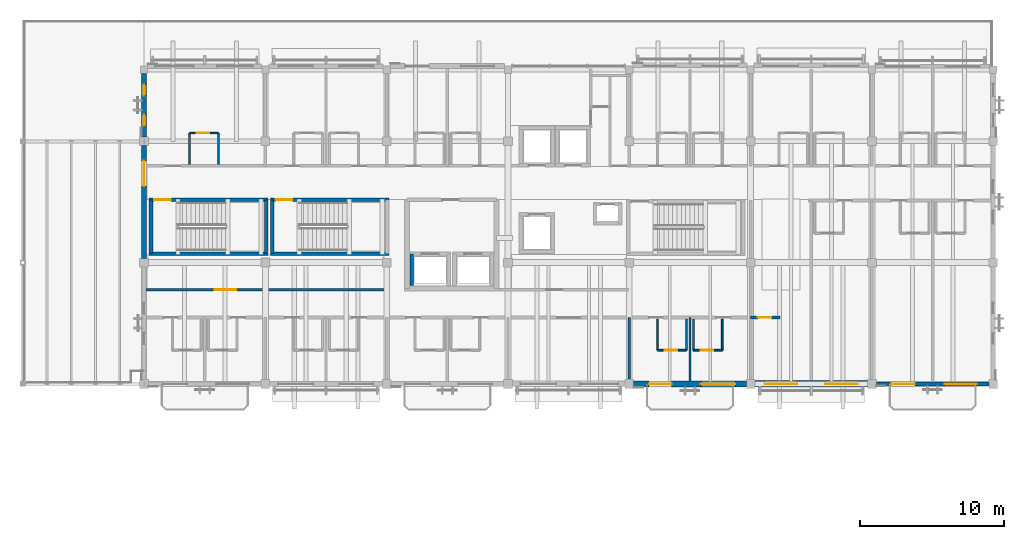
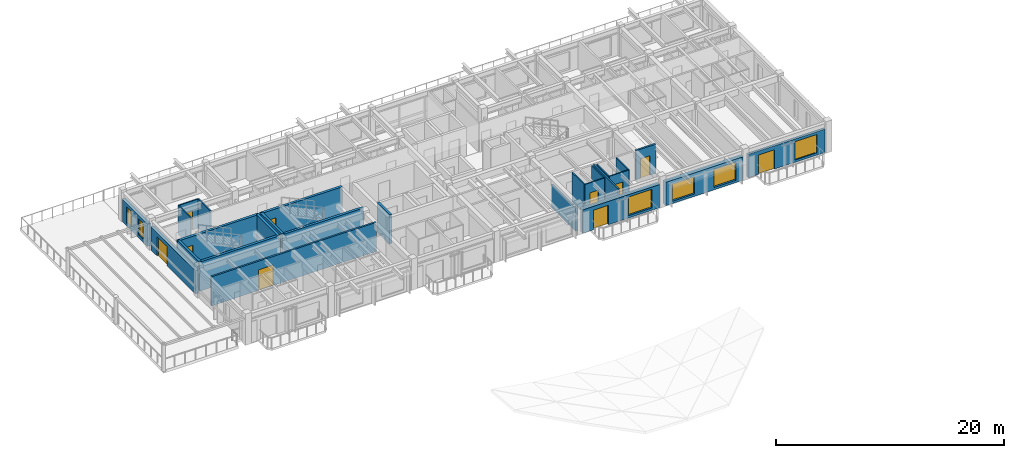
# One storey, part 11 of 22: 26 walls, 10 doors, 6 windows, 16 openings.
"""IFC4 building model written with IfcOpenShell, lengths in metres."""

from ifc_helpers import new_model, si_unit, direction, frame, frame_2d, origin, place, context, subcontext, project, spatial, rectangle, extrude, material, layer, layer_set, type_object, element, fill, save


model = new_model("IFC4")

# Units and contexts
model_context = context("Model", 3, precision=1e-05, world=origin(), true_north=direction((0.0, 1.0)))
body_context = subcontext(model_context, "Body", "Model", "MODEL_VIEW")
ifc_project = project(units=[si_unit("LENGTHUNIT", "METRE"), si_unit("AREAUNIT", "SQUARE_METRE"), si_unit("VOLUMEUNIT", "CUBIC_METRE"), si_unit("PLANEANGLEUNIT", "RADIAN"), si_unit("MASSUNIT", "GRAM", prefix="KILO")], contexts=[model_context])

# Site, building, storey
site_placement = place(None, origin())
site = spatial("IfcSite", under=ifc_project, at=site_placement, CompositionType="ELEMENT")
building_placement = place(site_placement, origin())
building = spatial("IfcBuilding", under=site, at=building_placement, Name="Cumbredor Promenade Congress Hotel", CompositionType="ELEMENT")
storey_placement = place(building_placement, frame((0.0, 0.0, 28.56005859375)))
storey = spatial("IfcBuildingStorey", under=building, at=storey_placement, Name="L08", CompositionType="ELEMENT", Elevation=28.56005859375)

# Wall, opening, door
ifc_material_1 = material(Name="Moisture-resistant gypsum board on steel studs", Category="steel")
ifc_layer_1 = layer(ifc_material_1, 0.114990234375, Name="Moisture-resistant gypsum board on steel studs", Category="steel")
ifc_layer_set_1 = layer_set([ifc_layer_1], Name="Moisture-resistant gypsum board on steel studs")
wall_type_1 = type_object("IfcWallType", Name="WL-BATH-115", PredefinedType="PARTITIONING", material=ifc_layer_set_1)
wall_1_placement = place(storey_placement, frame((11.550048828125, 109.77001953125, 0.0), z_axis=(0.0, 0.0, 1.0), x_axis=(1.0, 0.0, 0.0)))
wall_1 = element("IfcWall", 1, at=wall_1_placement, inside=storey, type_object=wall_type_1, Name="L08 Interior Partition W-L08-BH-0801", PredefinedType="PARTITIONING", context=body_context, shape_type="SweptSolid", body=[
    extrude(rectangle(XDim=2.0, YDim=0.114990234375, at=frame_2d((1.0, 0.0))), origin(), (0.0, 0.0, 1.0), 3.119873046875),
])
opening_1_placement = place(wall_1_placement, frame((0.5, 0.0, 0.0)))
opening_1 = element("IfcOpeningElement", 2, at=opening_1_placement, cuts=wall_1, Name="Opening ID-01", PredefinedType="OPENING", context=body_context, shape_type="SweptSolid", body=[
    extrude(rectangle(XDim=0.860107421875, YDim=2.050048828125, at=frame_2d((0.43017578125, 1.02490234375))), frame((0.0, 0.0673828125, 0.0), z_axis=(0.0, -1.0, 0.0), x_axis=(1.0, 0.0, 0.0)), (0.0, 0.0, 1.0), 0.135009765625),
])
ifc_material_2 = material(Name="Kiln-dried tropical hardwood", Category="wood")
door_type_1 = type_object("IfcDoorType", Name="DR-BATH-860", OperationType="NOTDEFINED", PredefinedType="DOOR", material=ifc_material_2)
door_1_placement = place(opening_1_placement, origin())
door_1 = element("IfcDoor", 3, at=door_1_placement, inside=storey, type_object=door_type_1, Name="L08 Interior Door W-L08-BH-0801-01", OperationType="SINGLE_SWING_LEFT", OverallHeight=2.050048828125, OverallWidth=0.860107421875, PredefinedType="DOOR", context=body_context, shape_type="SweptSolid", body=[
    extrude(rectangle(XDim=0.860107421875, YDim=2.050048828125, at=frame_2d((0.43017578125, 1.02490234375))), frame((0.0, 0.02490234375, 0.0), z_axis=(0.0, -1.0, 0.0), x_axis=(1.0, 0.0, 0.0)), (0.0, 0.0, 1.0), 0.050048828125),
])
fill(opening_1, door_1)

# Walls
for number, where, z_axis, x_axis, name in (
    (4, (11.550048828125, 107.6201171875, 0.0), (0.0, 0.0, 1.0), (0.0, 1.0, 0.0), "L08 Interior Partition W-L08-BV1-0801"),
    (5, (13.550048828125, 107.6201171875, 0.0), (0.0, 0.0, 1.0), (0.0, 1.0, 0.0), "L08 Interior Partition W-L08-BV2-0801"),
):
    element("IfcWall", number, at=place(storey_placement, frame(where, z_axis=z_axis, x_axis=x_axis)), inside=storey, type_object=wall_type_1, Name=name, PredefinedType="PARTITIONING", context=body_context, shape_type="SweptSolid", body=[
        extrude(rectangle(XDim=2.14990234375, YDim=0.114990234375, at=frame_2d((1.074951171875, 0.0))), origin(), (0.0, 0.0, 1.0), 3.119873046875),
    ])

# Wall, opening, door
wall_2_placement = place(storey_placement, frame((43.9599609375, 94.72998046875, 0.0), z_axis=(0.0, 0.0, 1.0), x_axis=(1.0, 0.0, 0.0)))
wall_2 = element("IfcWall", 6, at=wall_2_placement, inside=storey, type_object=wall_type_1, Name="L08 Interior Partition W-L08-BH-0879", PredefinedType="PARTITIONING", context=body_context, shape_type="SweptSolid", body=[
    extrude(rectangle(XDim=2.0, YDim=0.114990234375, at=frame_2d((1.0, 0.0))), origin(), (0.0, 0.0, 1.0), 3.119873046875),
])
opening_2_placement = place(wall_2_placement, frame((0.5, 0.0, 0.0)))
opening_2 = element("IfcOpeningElement", 7, at=opening_2_placement, cuts=wall_2, Name="Opening ID-01", PredefinedType="OPENING", context=body_context, shape_type="SweptSolid", body=[
    extrude(rectangle(XDim=0.860107421875, YDim=2.050048828125, at=frame_2d((0.43017578125, 1.02490234375))), frame((0.0, 0.0673828125, 0.0), z_axis=(0.0, -1.0, 0.0), x_axis=(1.0, 0.0, 0.0)), (0.0, 0.0, 1.0), 0.135009765625),
])
door_2_placement = place(opening_2_placement, origin())
door_2 = element("IfcDoor", 8, at=door_2_placement, inside=storey, type_object=door_type_1, Name="L08 Interior Door W-L08-BH-0879-01", OperationType="SINGLE_SWING_RIGHT", OverallHeight=2.050048828125, OverallWidth=0.860107421875, PredefinedType="DOOR", context=body_context, shape_type="SweptSolid", body=[
    extrude(rectangle(XDim=0.860107421875, YDim=2.050048828125, at=frame_2d((0.43017578125, 1.02490234375))), frame((0.0, 0.02490234375, 0.0), z_axis=(0.0, -1.0, 0.0), x_axis=(1.0, 0.0, 0.0)), (0.0, 0.0, 1.0), 0.050048828125),
])
fill(opening_2, door_2)

# Walls
for number, where, z_axis, x_axis, name in (
    (9, (43.9599609375, 94.72998046875, 0.0), (0.0, 0.0, 1.0), (0.0, 1.0, 0.0), "L08 Interior Partition W-L08-BV1-0879"),
    (10, (45.9599609375, 94.72998046875, 0.0), (0.0, 0.0, 1.0), (0.0, 1.0, 0.0), "L08 Interior Partition W-L08-BV2-0879"),
):
    element("IfcWall", number, at=place(storey_placement, frame(where, z_axis=z_axis, x_axis=x_axis)), inside=storey, type_object=wall_type_1, Name=name, PredefinedType="PARTITIONING", context=body_context, shape_type="SweptSolid", body=[
        extrude(rectangle(XDim=2.14990234375, YDim=0.114990234375, at=frame_2d((1.074951171875, 0.0))), origin(), (0.0, 0.0, 1.0), 3.119873046875),
    ])

# Wall, opening, door
wall_3_placement = place(storey_placement, frame((46.43994140625, 94.72998046875, 0.0), z_axis=(0.0, 0.0, 1.0), x_axis=(1.0, 0.0, 0.0)))
wall_3 = element("IfcWall", 11, at=wall_3_placement, inside=storey, type_object=wall_type_1, Name="L08 Interior Partition W-L08-BH-08710", PredefinedType="PARTITIONING", context=body_context, shape_type="SweptSolid", body=[
    extrude(rectangle(XDim=2.0, YDim=0.114990234375, at=frame_2d((1.0, 0.0))), origin(), (0.0, 0.0, 1.0), 3.119873046875),
])
opening_3_placement = place(wall_3_placement, frame((0.5, 0.0, 0.0)))
opening_3 = element("IfcOpeningElement", 12, at=opening_3_placement, cuts=wall_3, Name="Opening ID-01", PredefinedType="OPENING", context=body_context, shape_type="SweptSolid", body=[
    extrude(rectangle(XDim=0.860107421875, YDim=2.050048828125, at=frame_2d((0.43017578125, 1.02490234375))), frame((0.0, 0.0673828125, 0.0), z_axis=(0.0, -1.0, 0.0), x_axis=(1.0, 0.0, 0.0)), (0.0, 0.0, 1.0), 0.135009765625),
])
door_3_placement = place(opening_3_placement, origin())
door_3 = element("IfcDoor", 13, at=door_3_placement, inside=storey, type_object=door_type_1, Name="L08 Interior Door W-L08-BH-08710-01", OperationType="SINGLE_SWING_LEFT", OverallHeight=2.050048828125, OverallWidth=0.860107421875, PredefinedType="DOOR", context=body_context, shape_type="SweptSolid", body=[
    extrude(rectangle(XDim=0.860107421875, YDim=2.050048828125, at=frame_2d((0.43017578125, 1.02490234375))), frame((0.0, 0.02490234375, 0.0), z_axis=(0.0, -1.0, 0.0), x_axis=(1.0, 0.0, 0.0)), (0.0, 0.0, 1.0), 0.050048828125),
])
fill(opening_3, door_3)

# Walls
for number, where, z_axis, x_axis, name in (
    (14, (46.43994140625, 94.72998046875, 0.0), (0.0, 0.0, 1.0), (0.0, 1.0, 0.0), "L08 Interior Partition W-L08-BV1-08710"),
    (15, (48.43994140625, 94.72998046875, 0.0), (0.0, 0.0, 1.0), (0.0, 1.0, 0.0), "L08 Interior Partition W-L08-BV2-08710"),
):
    element("IfcWall", number, at=place(storey_placement, frame(where, z_axis=z_axis, x_axis=x_axis)), inside=storey, type_object=wall_type_1, Name=name, PredefinedType="PARTITIONING", context=body_context, shape_type="SweptSolid", body=[
        extrude(rectangle(XDim=2.14990234375, YDim=0.114990234375, at=frame_2d((1.074951171875, 0.0))), origin(), (0.0, 0.0, 1.0), 3.119873046875),
    ])

# Wall, opening, door
ifc_material_3 = material(Name="Fire-rated hotel corridor wall")
ifc_layer_2 = layer(ifc_material_3, 0.179931640625, Name="Fire-rated hotel corridor wall")
ifc_layer_set_2 = layer_set([ifc_layer_2], Name="Fire-rated hotel corridor wall")
wall_type_2 = type_object("IfcWallType", Name="WL-CORR-180", PredefinedType="PARTITIONING", material=ifc_layer_set_2)
wall_4_placement = place(storey_placement, frame((8.550048828125, 98.919921875, 0.0), z_axis=(0.0, 0.0, 1.0), x_axis=(1.0, 0.0, 0.0)))
wall_4 = element("IfcWall", 16, at=wall_4_placement, inside=storey, type_object=wall_type_2, Name="L08 Interior Partition W-L08-STUDY-S", PredefinedType="PARTITIONING", context=body_context, shape_type="SweptSolid", body=[
    extrude(rectangle(XDim=16.699951171875, YDim=0.179931640625, at=frame_2d((8.35009765625, 0.0))), origin(), (0.0, 0.0, 1.0), 3.119873046875),
])
opening_4_placement = place(wall_4_placement, frame((4.75, 0.0, 0.0)))
opening_4 = element("IfcOpeningElement", 17, at=opening_4_placement, cuts=wall_4, Name="Opening FD-07", PredefinedType="OPENING", context=body_context, shape_type="SweptSolid", body=[
    extrude(rectangle(XDim=1.5, YDim=2.199951171875, at=frame_2d((0.75, 1.10009765625))), frame((0.0, 0.10009765625, 0.0), z_axis=(0.0, -1.0, 0.0), x_axis=(1.0, 0.0, 0.0)), (0.0, 0.0, 1.0), 0.199951171875),
])
ifc_material_4 = material(Name="Solid-core fire-rated tropical hardwood", Category="wood")
door_type_2 = type_object("IfcDoorType", Name="DR-DBL-FD60-1500", OperationType="DOUBLE_DOOR_SINGLE_SWING", PredefinedType="DOOR", material=ifc_material_4)
door_4_placement = place(opening_4_placement, origin())
door_4 = element("IfcDoor", 18, at=door_4_placement, inside=storey, type_object=door_type_2, Name="L08 Interior Door W-L08-STUDY-S-01", OperationType="DOUBLE_DOOR_SINGLE_SWING", OverallHeight=2.199951171875, OverallWidth=1.5, PredefinedType="DOOR", context=body_context, shape_type="SweptSolid", body=[
    extrude(rectangle(XDim=1.5, YDim=2.199951171875, at=frame_2d((0.75, 1.10009765625))), frame((0.0, 0.02490234375, 0.0), z_axis=(0.0, -1.0, 0.0), x_axis=(1.0, 0.0, 0.0)), (0.0, 0.0, 1.0), 0.050048828125),
])
fill(opening_4, door_4)

wall_5_placement = place(storey_placement, frame((50.39990234375, 97.0, 0.0), z_axis=(0.0, 0.0, 1.0), x_axis=(1.0, 0.0, 0.0)))
wall_5 = element("IfcWall", 19, at=wall_5_placement, inside=storey, type_object=wall_type_2, Name="L08 Interior Partition W-L08-TEA2-N", PredefinedType="PARTITIONING", context=body_context, shape_type="SweptSolid", body=[
    extrude(rectangle(XDim=2.050048828125, YDim=0.179931640625, at=frame_2d((1.02490234375, 0.0))), origin(), (0.0, 0.0, 1.0), 3.119873046875),
])
opening_5_placement = place(wall_5_placement, frame((0.5, 0.0, 0.0)))
opening_5 = element("IfcOpeningElement", 20, at=opening_5_placement, cuts=wall_5, Name="Opening FD-03", PredefinedType="OPENING", context=body_context, shape_type="SweptSolid", body=[
    extrude(rectangle(XDim=0.93994140625, YDim=2.10009765625, at=frame_2d((0.469970703125, 1.050048828125))), frame((0.0, 0.10009765625, 0.0), z_axis=(0.0, -1.0, 0.0), x_axis=(1.0, 0.0, 0.0)), (0.0, 0.0, 1.0), 0.199951171875),
])
ifc_material_5 = material(Name="Painted galvanized steel fire door", Category="steel")
door_type_3 = type_object("IfcDoorType", Name="DR-SGL-FD60-950", OperationType="NOTDEFINED", PredefinedType="DOOR", material=ifc_material_5)
door_5_placement = place(opening_5_placement, origin())
door_5 = element("IfcDoor", 21, at=door_5_placement, inside=storey, type_object=door_type_3, Name="L08 Interior Door W-L08-TEA2-N-01", OperationType="SINGLE_SWING_LEFT", OverallHeight=2.10009765625, OverallWidth=0.93994140625, PredefinedType="DOOR", context=body_context, shape_type="SweptSolid", body=[
    extrude(rectangle(XDim=0.93994140625, YDim=2.10009765625, at=frame_2d((0.469970703125, 1.050048828125))), frame((0.0, 0.02490234375, 0.0), z_axis=(0.0, -1.0, 0.0), x_axis=(1.0, 0.0, 0.0)), (0.0, 0.0, 1.0), 0.050048828125),
])
fill(opening_5, door_5)

# Wall, openings, door, window
ifc_material_6 = material(Name="Concrete C40/50", Category="concrete")
ifc_layer_3 = layer(ifc_material_6, 0.260009765625, Name="Concrete C40/50", Category="concrete")
ifc_layer_set_3 = layer_set([ifc_layer_3], Name="Concrete C40/50")
wall_type_3 = type_object("IfcWallType", Name="WL-EXT-260", PredefinedType="SOLIDWALL", material=ifc_layer_set_3)
wall_6_placement = place(storey_placement, frame((59.10107421875, 92.39990234375, 0.0), z_axis=(0.0, 0.0, 1.0), x_axis=(1.0, 0.0, 0.0)))
wall_6 = element("IfcWall", 22, at=wall_6_placement, inside=storey, type_object=wall_type_3, Name="L08 Stepped Congress Hotel Wing South Envelope Wall 7", PredefinedType="SOLIDWALL", context=body_context, shape_type="SweptSolid", body=[
    extrude(rectangle(XDim=7.7978515625, YDim=0.260009765625, at=frame_2d((3.89892578125, 0.0))), origin(), (0.0, 0.0, 1.0), 2.493896484375),
])
opening_6_placement = place(wall_6_placement, frame((1.02392578125, 0.0, 0.0)))
opening_6 = element("IfcOpeningElement", 23, at=opening_6_placement, cuts=wall_6, Name="Opening TD-02", PredefinedType="OPENING", context=body_context, shape_type="SweptSolid", body=[
    extrude(rectangle(XDim=1.64990234375, YDim=2.080078125, at=frame_2d((0.824951171875, 1.0400390625))), frame((0.0, 0.14013671875, 0.0), z_axis=(0.0, -1.0, 0.0), x_axis=(1.0, 0.0, 0.0)), (0.0, 0.0, 1.0), 0.280029296875),
])
opening_7_placement = place(wall_6_placement, frame((4.72412109375, 0.0, 0.25)))
opening_7 = element("IfcOpeningElement", 24, at=opening_7_placement, cuts=wall_6, Name="Opening WN-07", PredefinedType="OPENING", context=body_context, shape_type="SweptSolid", body=[
    extrude(rectangle(XDim=2.25, YDim=1.949951171875, at=frame_2d((1.125, 0.97509765625))), frame((0.0, 0.14013671875, 0.0), z_axis=(0.0, -1.0, 0.0), x_axis=(1.0, 0.0, 0.0)), (0.0, 0.0, 1.0), 0.280029296875),
])
ifc_material_7 = material(Name="Thermally broken anodized aluminium and laminated safety glass", Category="aluminium")
door_type_4 = type_object("IfcDoorType", Name="EXT-DR-TER-1650x2080", OperationType="DOUBLE_DOOR_SINGLE_SWING", PredefinedType="DOOR", material=ifc_material_7)
door_6_placement = place(opening_6_placement, frame((1.64990234375, 0.0, 0.0), z_axis=(0.0, 0.0, 1.0), x_axis=(-1.0, 0.0, 0.0)))
door_6 = element("IfcDoor", 25, at=door_6_placement, inside=storey, type_object=door_type_4, Name="L08 Guestroom Veranda Balcony Door 085", OperationType="DOUBLE_DOOR_SINGLE_SWING", OverallHeight=2.080078125, OverallWidth=1.64990234375, PredefinedType="DOOR", context=body_context, shape_type="SweptSolid", body=[
    extrude(rectangle(XDim=1.64990234375, YDim=2.080078125, at=frame_2d((0.824951171875, 1.0400390625))), frame((0.0, 0.02490234375, 0.0), z_axis=(0.0, -1.0, 0.0), x_axis=(1.0, 0.0, 0.0)), (0.0, 0.0, 1.0), 0.050048828125),
])
fill(opening_6, door_6)
ifc_material_8 = material(Name="Thermally broken anodized aluminium and low-E glass", Category="aluminium")
window_type_1 = type_object("IfcWindowType", Name="Hospitality Floor-to-Ceiling Window WN-07 2250x1950", PartitioningType="DOUBLE_PANEL_VERTICAL", PredefinedType="WINDOW", material=ifc_material_8)
window_1_placement = place(opening_7_placement, origin())
window_1 = element("IfcWindow", 26, at=window_1_placement, inside=storey, type_object=window_type_1, Name="L08 Veranda Companion Floor-to-Ceiling Window 0657", OverallHeight=1.949951171875, OverallWidth=2.25, PartitioningType="DOUBLE_PANEL_VERTICAL", PredefinedType="WINDOW", context=body_context, shape_type="SweptSolid", body=[
    extrude(rectangle(XDim=2.25, YDim=1.949951171875, at=frame_2d((1.125, 0.97509765625))), frame((0.0, 0.030029296875, 0.0), z_axis=(0.0, -1.0, 0.0), x_axis=(1.0, 0.0, 0.0)), (0.0, 0.0, 1.0), 0.06005859375),
])
fill(opening_7, window_1)

# Wall, opening, door
ifc_layer_4 = layer(ifc_material_6, 0.324951171875, Name="Concrete C40/50", Category="concrete")
ifc_layer_set_4 = layer_set([ifc_layer_4], Name="Concrete C40/50")
wall_type_4 = type_object("IfcWallType", Name="WL-EXT-325", PredefinedType="SOLIDWALL", material=ifc_layer_set_4)
wall_7_placement = place(storey_placement, frame((8.39990234375, 101.10107421875, 0.0), z_axis=(0.0, 0.0, 1.0), x_axis=(0.0, 1.0, 0.0)))
wall_7 = element("IfcWall", 27, at=wall_7_placement, inside=storey, type_object=wall_type_4, Name="L08 Stepped Congress Hotel Wing West Envelope Wall 2", PredefinedType="SOLIDWALL", context=body_context, shape_type="SweptSolid", body=[
    extrude(rectangle(XDim=7.7978515625, YDim=0.324951171875, at=frame_2d((3.89892578125, 0.0))), origin(), (0.0, 0.0, 1.0), 2.493896484375),
])
opening_8_placement = place(wall_7_placement, frame((4.9990234375, 0.0, 0.0)))
opening_8 = element("IfcOpeningElement", 28, at=opening_8_placement, cuts=wall_7, Name="Opening TD-03", PredefinedType="OPENING", context=body_context, shape_type="SweptSolid", body=[
    extrude(rectangle(XDim=1.75, YDim=2.080078125, at=frame_2d((0.875, 1.0400390625))), frame((0.0, 0.17236328125, 0.0), z_axis=(0.0, -1.0, 0.0), x_axis=(1.0, 0.0, 0.0)), (0.0, 0.0, 1.0), 0.344970703125),
])
door_type_5 = type_object("IfcDoorType", Name="EXT-DR-TER-1750x2080", OperationType="DOUBLE_DOOR_SINGLE_SWING", PredefinedType="DOOR", material=ifc_material_7)
door_7_placement = place(opening_8_placement, origin())
door_7 = element("IfcDoor", 29, at=door_7_placement, inside=storey, type_object=door_type_5, Name="L08 Sky Garden Terrace Access Door 87", OperationType="DOUBLE_DOOR_SINGLE_SWING", OverallHeight=2.080078125, OverallWidth=1.75, PredefinedType="DOOR", context=body_context, shape_type="SweptSolid", body=[
    extrude(rectangle(XDim=1.75, YDim=2.080078125, at=frame_2d((0.875, 1.0400390625))), frame((0.0, 0.02490234375, 0.0), z_axis=(0.0, -1.0, 0.0), x_axis=(1.0, 0.0, 0.0)), (0.0, 0.0, 1.0), 0.050048828125),
])
fill(opening_8, door_7)

# Wall, openings, windows
ifc_layer_5 = layer(ifc_material_6, 0.35009765625, Name="Concrete C40/50", Category="concrete")
ifc_layer_set_5 = layer_set([ifc_layer_5], Name="Concrete C40/50")
wall_type_5 = type_object("IfcWallType", Name="WL-EXT-350", PredefinedType="SOLIDWALL", material=ifc_layer_set_5)
wall_8_placement = place(storey_placement, frame((8.39990234375, 109.5009765625, 0.0), z_axis=(0.0, 0.0, 1.0), x_axis=(0.0, 1.0, 0.0)))
wall_8 = element("IfcWall", 30, at=wall_8_placement, inside=storey, type_object=wall_type_5, Name="L08 Stepped Congress Hotel Wing West Envelope Wall 3", PredefinedType="SOLIDWALL", context=body_context, shape_type="SweptSolid", body=[
    extrude(rectangle(XDim=4.39794921875, YDim=0.35009765625, at=frame_2d((2.198974609375, 0.0))), origin(), (0.0, 0.0, 1.0), 2.409912109375),
])
opening_9_placement = place(wall_8_placement, frame((0.76904296875, 0.0, 0.300048828125)))
opening_9 = element("IfcOpeningElement", 31, at=opening_9_placement, cuts=wall_8, Name="Opening WN-61", PredefinedType="OPENING", context=body_context, shape_type="SweptSolid", body=[
    extrude(rectangle(XDim=0.760009765625, YDim=1.75, at=frame_2d((0.3798828125, 0.875))), frame((0.0, 0.18505859375, 0.0), z_axis=(0.0, -1.0, 0.0), x_axis=(1.0, 0.0, 0.0)), (0.0, 0.0, 1.0), 0.3701171875),
])
opening_10_placement = place(wall_8_placement, frame((2.868896484375, 0.0, 0.300048828125)))
opening_10 = element("IfcOpeningElement", 32, at=opening_10_placement, cuts=wall_8, Name="Opening WN-61", PredefinedType="OPENING", context=body_context, shape_type="SweptSolid", body=[
    extrude(rectangle(XDim=0.760009765625, YDim=1.75, at=frame_2d((0.3798828125, 0.875))), frame((0.0, 0.18505859375, 0.0), z_axis=(0.0, -1.0, 0.0), x_axis=(1.0, 0.0, 0.0)), (0.0, 0.0, 1.0), 0.3701171875),
])
window_type_2 = type_object("IfcWindowType", Name="Vertical Slot Window WN-61 760x1750", PartitioningType="SINGLE_PANEL", PredefinedType="WINDOW", material=ifc_material_8)
window_2_placement = place(opening_9_placement, origin())
window_2 = element("IfcWindow", 33, at=window_2_placement, inside=storey, type_object=window_type_2, Name="L08 Vertical Slot Window 0671", OverallHeight=1.75, OverallWidth=0.760009765625, PartitioningType="SINGLE_PANEL", PredefinedType="WINDOW", context=body_context, shape_type="SweptSolid", body=[
    extrude(rectangle(XDim=0.760009765625, YDim=1.75, at=frame_2d((0.3798828125, 0.875))), frame((0.0, 0.030029296875, 0.0), z_axis=(0.0, -1.0, 0.0), x_axis=(1.0, 0.0, 0.0)), (0.0, 0.0, 1.0), 0.06005859375),
])
fill(opening_9, window_2)
window_3_placement = place(opening_10_placement, origin())
window_3 = element("IfcWindow", 34, at=window_3_placement, inside=storey, type_object=window_type_2, Name="L08 Vertical Slot Window 0672", OverallHeight=1.75, OverallWidth=0.760009765625, PartitioningType="SINGLE_PANEL", PredefinedType="WINDOW", context=body_context, shape_type="SweptSolid", body=[
    extrude(rectangle(XDim=0.760009765625, YDim=1.75, at=frame_2d((0.3798828125, 0.875))), frame((0.0, 0.030029296875, 0.0), z_axis=(0.0, -1.0, 0.0), x_axis=(1.0, 0.0, 0.0)), (0.0, 0.0, 1.0), 0.06005859375),
])
fill(opening_10, window_3)

# Wall, openings, door, window
ifc_layer_6 = layer(ifc_material_6, 0.425048828125, Name="Concrete C40/50", Category="concrete")
ifc_layer_set_6 = layer_set([ifc_layer_6], Name="Concrete C40/50")
wall_type_6 = type_object("IfcWallType", Name="WL-EXT-425", PredefinedType="SOLIDWALL", material=ifc_layer_set_6)
wall_9_placement = place(storey_placement, frame((42.301025390625, 92.39990234375, 0.0), z_axis=(0.0, 0.0, 1.0), x_axis=(1.0, 0.0, 0.0)))
wall_9 = element("IfcWall", 35, at=wall_9_placement, inside=storey, type_object=wall_type_6, Name="L08 Stepped Congress Hotel Wing South Envelope Wall 5", PredefinedType="SOLIDWALL", context=body_context, shape_type="SweptSolid", body=[
    extrude(rectangle(XDim=7.798095703125, YDim=0.425048828125, at=frame_2d((3.89892578125, 0.0))), origin(), (0.0, 0.0, 1.0), 2.493896484375),
])
opening_11_placement = place(wall_9_placement, frame((1.073974609375, 0.0, 0.0)))
opening_11 = element("IfcOpeningElement", 36, at=opening_11_placement, cuts=wall_9, Name="Opening TD-01", PredefinedType="OPENING", context=body_context, shape_type="SweptSolid", body=[
    extrude(rectangle(XDim=1.550048828125, YDim=2.080078125, at=frame_2d((0.77490234375, 1.0400390625))), frame((0.0, 0.22265625, 0.0), z_axis=(0.0, -1.0, 0.0), x_axis=(1.0, 0.0, 0.0)), (0.0, 0.0, 1.0), 0.445068359375),
])
opening_12_placement = place(wall_9_placement, frame((4.658935546875, 0.0, 0.25)))
opening_12 = element("IfcOpeningElement", 37, at=opening_12_placement, cuts=wall_9, Name="Opening WN-41", PredefinedType="OPENING", context=body_context, shape_type="SweptSolid", body=[
    extrude(rectangle(XDim=2.3798828125, YDim=2.0, at=frame_2d((1.18994140625, 1.0))), frame((0.0, 0.22265625, 0.0), z_axis=(0.0, -1.0, 0.0), x_axis=(1.0, 0.0, 0.0)), (0.0, 0.0, 1.0), 0.445068359375),
])
door_type_6 = type_object("IfcDoorType", Name="EXT-DR-TER-1550x2080", OperationType="DOUBLE_DOOR_SINGLE_SWING", PredefinedType="DOOR", material=ifc_material_7)
door_8_placement = place(opening_11_placement, frame((1.550048828125, 0.0, 0.0), z_axis=(0.0, 0.0, 1.0), x_axis=(-1.0, 0.0, 0.0)))
door_8 = element("IfcDoor", 38, at=door_8_placement, inside=storey, type_object=door_type_6, Name="L08 Guestroom Veranda Balcony Door 084", OperationType="DOUBLE_DOOR_SINGLE_SWING", OverallHeight=2.080078125, OverallWidth=1.550048828125, PredefinedType="DOOR", context=body_context, shape_type="SweptSolid", body=[
    extrude(rectangle(XDim=1.550048828125, YDim=2.080078125, at=frame_2d((0.77490234375, 1.0400390625))), frame((0.0, 0.02490234375, 0.0), z_axis=(0.0, -1.0, 0.0), x_axis=(1.0, 0.0, 0.0)), (0.0, 0.0, 1.0), 0.050048828125),
])
fill(opening_11, door_8)
window_type_3 = type_object("IfcWindowType", Name="Hospitality Floor-to-Ceiling Window WN-41 2380x2000", PartitioningType="DOUBLE_PANEL_VERTICAL", PredefinedType="WINDOW", material=ifc_material_8)
window_4_placement = place(opening_12_placement, origin())
window_4 = element("IfcWindow", 39, at=window_4_placement, inside=storey, type_object=window_type_3, Name="L08 Veranda Companion Floor-to-Ceiling Window 0654", OverallHeight=2.0, OverallWidth=2.3798828125, PartitioningType="DOUBLE_PANEL_VERTICAL", PredefinedType="WINDOW", context=body_context, shape_type="SweptSolid", body=[
    extrude(rectangle(XDim=2.3798828125, YDim=2.0, at=frame_2d((1.18994140625, 1.0))), frame((0.0, 0.030029296875, 0.0), z_axis=(0.0, -1.0, 0.0), x_axis=(1.0, 0.0, 0.0)), (0.0, 0.0, 1.0), 0.06005859375),
])
fill(opening_12, window_4)

# Wall, openings, windows
ifc_layer_7 = layer(ifc_material_6, 0.449951171875, Name="Concrete C40/50", Category="concrete")
ifc_layer_set_7 = layer_set([ifc_layer_7], Name="Concrete C40/50")
wall_type_7 = type_object("IfcWallType", Name="WL-EXT-450", PredefinedType="SOLIDWALL", material=ifc_layer_set_7)
wall_10_placement = place(storey_placement, frame((50.700927734375, 92.39990234375, 0.0), z_axis=(0.0, 0.0, 1.0), x_axis=(1.0, 0.0, 0.0)))
wall_10 = element("IfcWall", 40, at=wall_10_placement, inside=storey, type_object=wall_type_7, Name="L08 Stepped Congress Hotel Wing South Envelope Wall 6", PredefinedType="SOLIDWALL", context=body_context, shape_type="SweptSolid", body=[
    extrude(rectangle(XDim=7.798095703125, YDim=0.449951171875, at=frame_2d((3.89892578125, 0.0))), origin(), (0.0, 0.0, 1.0), 2.493896484375),
])
opening_13_placement = place(wall_10_placement, frame((0.674072265625, 0.0, 0.25)))
opening_13 = element("IfcOpeningElement", 41, at=opening_13_placement, cuts=wall_10, Name="Opening WN-01", PredefinedType="OPENING", context=body_context, shape_type="SweptSolid", body=[
    extrude(rectangle(XDim=2.25, YDim=1.85009765625, at=frame_2d((1.125, 0.925048828125))), frame((0.0, 0.23486328125, 0.0), z_axis=(0.0, -1.0, 0.0), x_axis=(1.0, 0.0, 0.0)), (0.0, 0.0, 1.0), 0.469970703125),
])
opening_14_placement = place(wall_10_placement, frame((4.8740234375, 0.0, 0.25)))
opening_14 = element("IfcOpeningElement", 42, at=opening_14_placement, cuts=wall_10, Name="Opening WN-07", PredefinedType="OPENING", context=body_context, shape_type="SweptSolid", body=[
    extrude(rectangle(XDim=2.25, YDim=1.949951171875, at=frame_2d((1.125, 0.97509765625))), frame((0.0, 0.23486328125, 0.0), z_axis=(0.0, -1.0, 0.0), x_axis=(1.0, 0.0, 0.0)), (0.0, 0.0, 1.0), 0.469970703125),
])
window_type_4 = type_object("IfcWindowType", Name="Hospitality Floor-to-Ceiling Window WN-01 2250x1850", PartitioningType="DOUBLE_PANEL_VERTICAL", PredefinedType="WINDOW", material=ifc_material_8)
window_5_placement = place(opening_13_placement, origin())
window_5 = element("IfcWindow", 43, at=window_5_placement, inside=storey, type_object=window_type_4, Name="L08 Wide Hospitality Window 0655", OverallHeight=1.85009765625, OverallWidth=2.25, PartitioningType="DOUBLE_PANEL_VERTICAL", PredefinedType="WINDOW", context=body_context, shape_type="SweptSolid", body=[
    extrude(rectangle(XDim=2.25, YDim=1.85009765625, at=frame_2d((1.125, 0.925048828125))), frame((0.0, 0.030029296875, 0.0), z_axis=(0.0, -1.0, 0.0), x_axis=(1.0, 0.0, 0.0)), (0.0, 0.0, 1.0), 0.06005859375),
])
fill(opening_13, window_5)
window_6_placement = place(opening_14_placement, origin())
window_6 = element("IfcWindow", 44, at=window_6_placement, inside=storey, type_object=window_type_1, Name="L08 Wide Hospitality Window 0656", OverallHeight=1.949951171875, OverallWidth=2.25, PartitioningType="DOUBLE_PANEL_VERTICAL", PredefinedType="WINDOW", context=body_context, shape_type="SweptSolid", body=[
    extrude(rectangle(XDim=2.25, YDim=1.949951171875, at=frame_2d((1.125, 0.97509765625))), frame((0.0, 0.030029296875, 0.0), z_axis=(0.0, -1.0, 0.0), x_axis=(1.0, 0.0, 0.0)), (0.0, 0.0, 1.0), 0.06005859375),
])
fill(opening_14, window_6)

# Wall
ifc_layer_8 = layer(ifc_material_6, 0.2548828125, Name="Concrete C40/50", Category="concrete")
ifc_layer_set_8 = layer_set([ifc_layer_8], Name="Concrete C40/50")
wall_type_8 = type_object("IfcWallType", Name="WL-SHAFT-250", PredefinedType="SOLIDWALL", material=ifc_layer_set_8)
wall_11_placement = place(storey_placement, frame((8.75244140625, 101.419921875, 0.0), z_axis=(0.0, 0.0, 1.0), x_axis=(1.0, 0.0, 0.0)))
element("IfcWall", 45, at=wall_11_placement, inside=storey, type_object=wall_type_8, Name="STAIR-ST-01-L08 Shaft Wall South", PredefinedType="SOLIDWALL", context=body_context, shape_type="SweptSolid", body=[
    extrude(rectangle(XDim=8.22509765625, YDim=0.2548828125, at=frame_2d((4.112548828125, 0.0))), origin(), (0.0, 0.0, 1.0), 3.119873046875),
])

# Wall, opening, door
wall_12_placement = place(storey_placement, frame((8.75244140625, 105.14990234375, 0.0), z_axis=(0.0, 0.0, 1.0), x_axis=(1.0, 0.0, 0.0)))
wall_12 = element("IfcWall", 46, at=wall_12_placement, inside=storey, type_object=wall_type_8, Name="STAIR-ST-01-L08 Shaft Wall North", PredefinedType="SOLIDWALL", context=body_context, shape_type="SweptSolid", body=[
    extrude(rectangle(XDim=8.22509765625, YDim=0.2548828125, at=frame_2d((4.112548828125, 0.0))), origin(), (0.0, 0.0, 1.0), 3.119873046875),
])
opening_15_placement = place(wall_12_placement, frame((0.35009765625, 0.0, 0.0)))
opening_15 = element("IfcOpeningElement", 47, at=opening_15_placement, cuts=wall_12, Name="Opening SD-01", PredefinedType="OPENING", context=body_context, shape_type="SweptSolid", body=[
    extrude(rectangle(XDim=1.159912109375, YDim=2.14990234375, at=frame_2d((0.580078125, 1.074951171875))), frame((0.0, 0.137451171875, 0.0), z_axis=(0.0, -1.0, 0.0), x_axis=(1.0, 0.0, 0.0)), (0.0, 0.0, 1.0), 0.27490234375),
])
door_type_7 = type_object("IfcDoorType", Name="DR-STAIR-FD90-1150", OperationType="NOTDEFINED", PredefinedType="DOOR", material=ifc_material_5)
door_9_placement = place(opening_15_placement, origin())
door_9 = element("IfcDoor", 48, at=door_9_placement, inside=storey, type_object=door_type_7, Name="L08 Protected Exit Stair ST-01 Door", OperationType="SINGLE_SWING_RIGHT", OverallHeight=2.14990234375, OverallWidth=1.159912109375, PredefinedType="DOOR", context=body_context, shape_type="SweptSolid", body=[
    extrude(rectangle(XDim=1.159912109375, YDim=2.14990234375, at=frame_2d((0.580078125, 1.074951171875))), frame((0.0, 0.02490234375, 0.0), z_axis=(0.0, -1.0, 0.0), x_axis=(1.0, 0.0, 0.0)), (0.0, 0.0, 1.0), 0.050048828125),
])
fill(opening_15, door_9)

# Walls
for number, where, z_axis, x_axis, name in (
    (49, (8.8798828125, 101.419921875, 0.0), (0.0, 0.0, 1.0), (0.0, 1.0, 0.0), "STAIR-ST-01-L08 Shaft Wall West"),
    (50, (16.85009765625, 101.419921875, 0.0), (0.0, 0.0, 1.0), (0.0, 1.0, 0.0), "STAIR-ST-01-L08 Shaft Wall East"),
):
    element("IfcWall", number, at=place(storey_placement, frame(where, z_axis=z_axis, x_axis=x_axis)), inside=storey, type_object=wall_type_8, Name=name, PredefinedType="SOLIDWALL", context=body_context, shape_type="SweptSolid", body=[
        extrude(rectangle(XDim=3.72998046875, YDim=0.2548828125, at=frame_2d((1.864990234375, 0.0))), origin(), (0.0, 0.0, 1.0), 3.119873046875),
    ])
wall_13_placement = place(storey_placement, frame((17.152587890625, 101.419921875, 0.0), z_axis=(0.0, 0.0, 1.0), x_axis=(1.0, 0.0, 0.0)))
element("IfcWall", 51, at=wall_13_placement, inside=storey, type_object=wall_type_8, Name="STAIR-ST-02-L08 Shaft Wall South", PredefinedType="SOLIDWALL", context=body_context, shape_type="SweptSolid", body=[
    extrude(rectangle(XDim=8.224853515625, YDim=0.2548828125, at=frame_2d((4.1123046875, 0.0))), origin(), (0.0, 0.0, 1.0), 3.119873046875),
])

# Wall, opening, door
wall_14_placement = place(storey_placement, frame((17.152587890625, 105.14990234375, 0.0), z_axis=(0.0, 0.0, 1.0), x_axis=(1.0, 0.0, 0.0)))
wall_14 = element("IfcWall", 52, at=wall_14_placement, inside=storey, type_object=wall_type_8, Name="STAIR-ST-02-L08 Shaft Wall North", PredefinedType="SOLIDWALL", context=body_context, shape_type="SweptSolid", body=[
    extrude(rectangle(XDim=8.224853515625, YDim=0.2548828125, at=frame_2d((4.1123046875, 0.0))), origin(), (0.0, 0.0, 1.0), 3.119873046875),
])
opening_16_placement = place(wall_14_placement, frame((0.35009765625, 0.0, 0.0)))
opening_16 = element("IfcOpeningElement", 53, at=opening_16_placement, cuts=wall_14, Name="Opening SD-01", PredefinedType="OPENING", context=body_context, shape_type="SweptSolid", body=[
    extrude(rectangle(XDim=1.159912109375, YDim=2.14990234375, at=frame_2d((0.580078125, 1.074951171875))), frame((0.0, 0.137451171875, 0.0), z_axis=(0.0, -1.0, 0.0), x_axis=(1.0, 0.0, 0.0)), (0.0, 0.0, 1.0), 0.27490234375),
])
door_10_placement = place(opening_16_placement, origin())
door_10 = element("IfcDoor", 54, at=door_10_placement, inside=storey, type_object=door_type_7, Name="L08 Protected Exit Stair ST-02 Door", OperationType="SINGLE_SWING_LEFT", OverallHeight=2.14990234375, OverallWidth=1.159912109375, PredefinedType="DOOR", context=body_context, shape_type="SweptSolid", body=[
    extrude(rectangle(XDim=1.159912109375, YDim=2.14990234375, at=frame_2d((0.580078125, 1.074951171875))), frame((0.0, 0.02490234375, 0.0), z_axis=(0.0, -1.0, 0.0), x_axis=(1.0, 0.0, 0.0)), (0.0, 0.0, 1.0), 0.050048828125),
])
fill(opening_16, door_10)

# Walls
wall_15_placement = place(storey_placement, frame((17.280029296875, 101.419921875, 0.0), z_axis=(0.0, 0.0, 1.0), x_axis=(0.0, 1.0, 0.0)))
element("IfcWall", 55, at=wall_15_placement, inside=storey, type_object=wall_type_8, Name="STAIR-ST-02-L08 Shaft Wall West", PredefinedType="SOLIDWALL", context=body_context, shape_type="SweptSolid", body=[
    extrude(rectangle(XDim=3.72998046875, YDim=0.2548828125, at=frame_2d((1.864990234375, 0.0))), origin(), (0.0, 0.0, 1.0), 3.119873046875),
])
wall_16_placement = place(storey_placement, frame((26.929931640625, 99.199951171875, 0.0), z_axis=(0.0, 0.0, 1.0), x_axis=(0.0, 1.0, 0.0)))
element("IfcWall", 56, at=wall_16_placement, inside=storey, type_object=wall_type_8, Name="SHAFT-FF-01-L08 Shaft Wall West", PredefinedType="SOLIDWALL", context=body_context, shape_type="SweptSolid", body=[
    extrude(rectangle(XDim=2.199951171875, YDim=0.2548828125, at=frame_2d((1.10009765625, 0.0))), origin(), (0.0, 0.0, 1.0), 3.119873046875),
])
ifc_material_9 = material(Name="Fire-rated acoustic double-stud partition")
ifc_layer_9 = layer(ifc_material_9, 0.1650390625, Name="Fire-rated acoustic double-stud partition")
ifc_layer_set_9 = layer_set([ifc_layer_9], Name="Fire-rated acoustic double-stud partition")
wall_type_9 = type_object("IfcWallType", Name="WL-UNIT-165", PredefinedType="PARTITIONING", material=ifc_layer_set_9)
wall_17_placement = place(storey_placement, frame((46.199951171875, 92.612548828125, 0.0), z_axis=(0.0, 0.0, 1.0), x_axis=(0.0, 1.0, 0.0)))
element("IfcWall", 57, at=wall_17_placement, inside=storey, type_object=wall_type_9, Name="L08 Interior Partition W-L08-SC-DIV-4-M", PredefinedType="PARTITIONING", context=body_context, shape_type="SweptSolid", body=[
    extrude(rectangle(XDim=4.387451171875, YDim=0.1650390625, at=frame_2d((2.19384765625, 0.0))), origin(), (0.0, 0.0, 1.0), 3.119873046875),
])
wall_18_placement = place(storey_placement, frame((42.0, 92.75, 0.0), z_axis=(0.0, 0.0, 1.0), x_axis=(0.0, 1.0, 0.0)))
element("IfcWall", 58, at=wall_18_placement, inside=storey, type_object=wall_type_9, Name="L08 Interior Partition W-L08-SC-DIV-4-G", PredefinedType="PARTITIONING", context=body_context, shape_type="SweptSolid", body=[
    extrude(rectangle(XDim=4.25, YDim=0.1650390625, at=frame_2d((2.125, 0.0))), origin(), (0.0, 0.0, 1.0), 2.454833984375),
])

save(model, "model.ifc")
